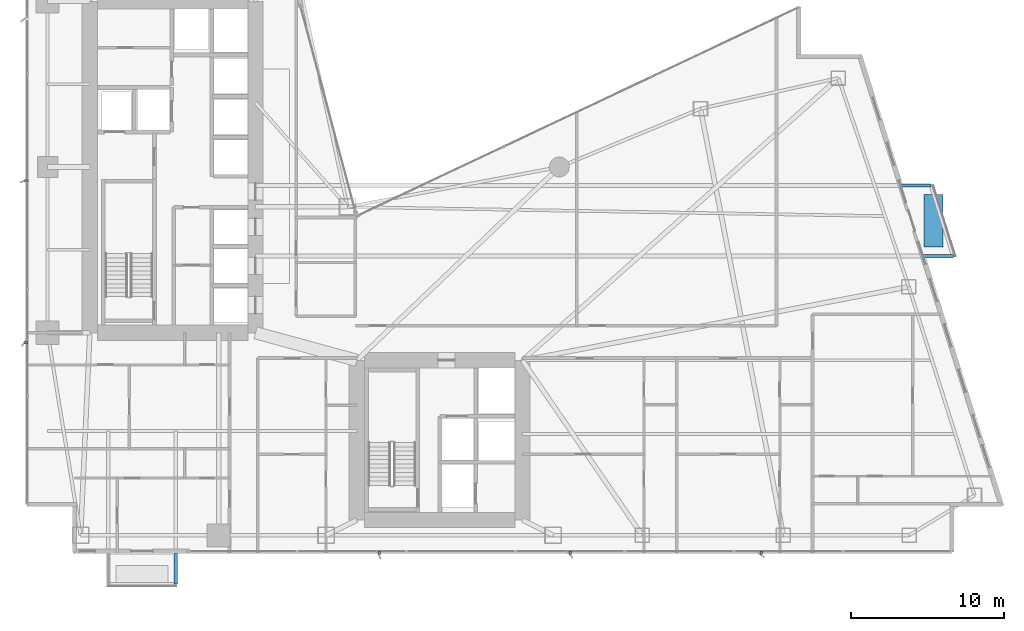
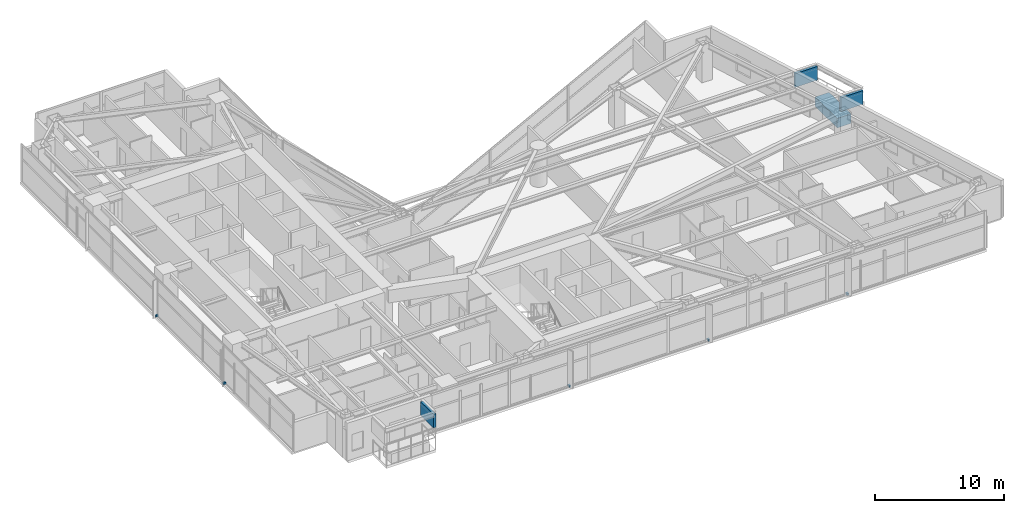
# One storey, part 26 of 29: 9 discrete accessories.
"""IFC4 building model written with IfcOpenShell, lengths in metres."""

import ifcopenshell
import ifcopenshell.guid

model = None  # the IFC model being written
_history = None  # IfcOwnerHistory: only IFC2X3 demands one
_inside = {}  # id of a spatial element -> (the spatial element, [elements in it])
_under = {}  # id of a project, library or spatial element -> (it, [spatial elements below it])
_declared = {}  # id of a project -> (the project, [libraries it declares])
_typed = {}  # id of a type object -> (the type object, [elements of that type])
_made_of = {}  # id of a material, layer set ... -> (it, [elements and type objects made of it])


def new_model(schema):
    """Start an empty IFC model of exactly this schema.

    Asked for "IFC4X3", IfcOpenShell would pick the latest addendum, in which some entities
    have other attributes; the version numbers below select the first issue.
    IFC2X3 requires an IfcOwnerHistory on every rooted entity: one is made here for all.
    """
    global model, _history
    if schema == "IFC4X3":
        model = ifcopenshell.file(schema_version=(4, 3, 0, 0))
    else:
        model = ifcopenshell.file(schema=schema)
    _inside.clear()
    _under.clear()
    _declared.clear()
    _typed.clear()
    _made_of.clear()
    _history = None
    if model.schema == "IFC2X3":
        org = make("IfcOrganization", Name="unknown")
        user = make(
            "IfcPersonAndOrganization",
            ThePerson=make("IfcPerson", FamilyName="unknown"),
            TheOrganization=org,
        )
        app = make(
            "IfcApplication",
            ApplicationDeveloper=org,
            Version="unknown",
            ApplicationFullName="unknown",
            ApplicationIdentifier="unknown",
        )
        _history = make(
            "IfcOwnerHistory",
            OwningUser=user,
            OwningApplication=app,
            ChangeAction="ADDED",
            CreationDate=0,
        )
    return model


def make(cls, **values):
    """One entity of the class cls with the attributes given. An attribute that is None is left unset."""
    return model.create_entity(
        cls, **{name: value for name, value in values.items() if value is not None}
    )


def rooted(cls, **values):
    """An entity with a GlobalId (a new one), such as an element, a storey or a relation."""
    return make(cls, GlobalId=ifcopenshell.guid.new(), OwnerHistory=_history, **values)


def si_unit(unit_type, name, prefix=None):
    """IfcSIUnit, for example si_unit("LENGTHUNIT", "METRE", prefix="MILLI")."""
    return make("IfcSIUnit", UnitType=unit_type, Prefix=prefix, Name=name)


def assignment(units):
    """IfcUnitAssignment: the units of a project."""
    return None if units is None else make("IfcUnitAssignment", Units=units)


def point(xyz):
    """IfcCartesianPoint."""
    return None if xyz is None else make("IfcCartesianPoint", Coordinates=xyz)


def direction(xyz):
    """IfcDirection."""
    return None if xyz is None else make("IfcDirection", DirectionRatios=xyz)


def frame(location, z_axis=None, x_axis=None):
    """IfcAxis2Placement3D, a coordinate frame: its origin and axes. An axis left out is left unset."""
    return make(
        "IfcAxis2Placement3D",
        Location=point(location),
        Axis=direction(z_axis),
        RefDirection=direction(x_axis),
    )


def frame_2d(location, x_axis=None):
    """IfcAxis2Placement2D, a coordinate frame in the plane: its origin and x axis."""
    return make(
        "IfcAxis2Placement2D", Location=point(location), RefDirection=direction(x_axis)
    )


def origin():
    """The frame at (0, 0, 0) with its axes left unset."""
    return frame((0.0, 0.0, 0.0))


def origin_2d():
    """The frame at (0, 0) in the plane with its x axis left unset."""
    return frame_2d((0.0, 0.0))


def place(relative_to, where):
    """IfcLocalPlacement: puts the frame where relative to a parent placement (None: the world)."""
    return make(
        "IfcLocalPlacement", PlacementRelTo=relative_to, RelativePlacement=where
    )


def context(
    kind, dimensions, precision=None, world=None, true_north=None, identifier=None
):
    """IfcGeometricRepresentationContext, for example the 3D "Model" context."""
    return make(
        "IfcGeometricRepresentationContext",
        ContextIdentifier=identifier,
        ContextType=kind,
        CoordinateSpaceDimension=dimensions,
        Precision=precision,
        WorldCoordinateSystem=world,
        TrueNorth=true_north,
    )


def subcontext(parent, identifier, kind, view, scale=None):
    """IfcGeometricRepresentationSubContext, for example "Body" below "Model"."""
    return make(
        "IfcGeometricRepresentationSubContext",
        ContextIdentifier=identifier,
        ContextType=kind,
        ParentContext=parent,
        TargetScale=scale,
        TargetView=view,
    )


def project(units=None, contexts=None):
    """IfcProject with its units and contexts."""
    return rooted(
        "IfcProject",
        Name="project",
        RepresentationContexts=contexts,
        UnitsInContext=assignment(units),
    )


def spatial(cls, under=None, at=None, **own):
    """A site, building, storey or space (cls), placed at a placement, below another one or the project."""
    s = rooted(cls, ObjectPlacement=at, **own)
    if under is not None:
        _under.setdefault(under.id(), (under, []))[1].append(s)
    return s


def profile(cls, at=None, kind="AREA", **sizes):
    """A parametric profile (cls). Its sizes go by their IFC names, for example OverallWidth=200.0."""
    return make(cls, ProfileType=kind, Position=at, **sizes)


def rectangle(**sizes):
    """IfcRectangleProfileDef."""
    return profile("IfcRectangleProfileDef", **sizes)


def extrude(swept, where, along, depth):
    """IfcExtrudedAreaSolid: the profile swept, set in the frame where, extruded along a direction by depth."""
    return make(
        "IfcExtrudedAreaSolid",
        SweptArea=swept,
        Position=where,
        ExtrudedDirection=direction(along),
        Depth=depth,
    )


def shape(context_of_items, identifier, shape_type, items):
    """IfcShapeRepresentation: the items that make up one representation, for example the "Body"."""
    return make(
        "IfcShapeRepresentation",
        ContextOfItems=context_of_items,
        RepresentationIdentifier=identifier,
        RepresentationType=shape_type,
        Items=items,
    )


def material(Name=None, Category=None):
    """IfcMaterial."""
    return make("IfcMaterial", Name=Name, Category=Category)


def made_of(thing, what):
    """Note that an element or type object is made of a material, layer set ...; save() writes the relation."""
    if what is not None:
        _made_of.setdefault(what.id(), (what, []))[1].append(thing)
    return thing


def type_object(cls, material=None, **own):
    """A type object (cls), such as IfcWallType, which elements share."""
    return made_of(rooted(cls, **own), material)


def element(
    cls,
    number,
    at=None,
    inside=None,
    cuts=None,
    type_object=None,
    material=None,
    context=None,
    identifier="Body",
    shape_type=None,
    held_by="IfcProductDefinitionShape",
    body=None,
    shapes=None,
    **own,
):
    """One element of the class cls, such as IfcWall. Its Tag is "e" and its number.

    at: its placement. inside: the storey or other place that contains it. cuts: it is an
    opening in that element (IfcRelVoidsElement). A single representation is given by context,
    identifier, shape_type and body (its items); several are given by shapes. held_by: the class
    of the entity that holds the representations. save() writes the other relations.
    """
    e = rooted(cls, Tag="e%d" % number, ObjectPlacement=at, **own)
    if body is not None:
        shapes = [shape(context, identifier, shape_type, body)]
    if shapes is not None:
        e.Representation = make(held_by, Representations=shapes)
    if inside is not None:
        _inside.setdefault(inside.id(), (inside, []))[1].append(e)
    if cuts is not None:
        rooted(
            "IfcRelVoidsElement", RelatingBuildingElement=cuts, RelatedOpeningElement=e
        )
    if type_object is not None:
        _typed.setdefault(type_object.id(), (type_object, []))[1].append(e)
    return made_of(e, material)


def aggregate(whole, parts):
    """IfcRelAggregates: a whole, such as a stair, and the parts it consists of."""
    return rooted("IfcRelAggregates", RelatingObject=whole, RelatedObjects=parts)


def save(model, path):
    """Write the relations noted so far, then the file.

    IfcRelAggregates (storeys below a building ...), IfcRelContainedInSpatialStructure (elements
    in a storey), IfcRelDefinesByType, IfcRelAssociatesMaterial and IfcRelDeclares: one each for
    every whole, place, type object, material and project.
    """
    for whole, parts in _under.values():
        aggregate(whole, parts)
    for where, things in _inside.values():
        rooted(
            "IfcRelContainedInSpatialStructure",
            RelatedElements=things,
            RelatingStructure=where,
        )
    for kind, things in _typed.values():
        rooted("IfcRelDefinesByType", RelatedObjects=things, RelatingType=kind)
    for what, things in _made_of.values():
        rooted("IfcRelAssociatesMaterial", RelatedObjects=things, RelatingMaterial=what)
    for by, libraries in _declared.values():
        rooted("IfcRelDeclares", RelatingContext=by, RelatedDefinitions=libraries)
    model.write(path)


model = new_model("IFC4")

# Units and contexts
model_context = context("Model", 3, precision=1e-05, world=origin(), true_north=direction((0.0, 1.0)))
body_context = subcontext(model_context, "Body", "Model", "MODEL_VIEW")
ifc_project = project(units=[si_unit("LENGTHUNIT", "METRE"), si_unit("AREAUNIT", "SQUARE_METRE"), si_unit("VOLUMEUNIT", "CUBIC_METRE"), si_unit("PLANEANGLEUNIT", "RADIAN"), si_unit("MASSUNIT", "GRAM", prefix="KILO")], contexts=[model_context])

# Site, building, storey
site_placement = place(None, origin())
site = spatial("IfcSite", under=ifc_project, at=site_placement, CompositionType="ELEMENT")
building_placement = place(site_placement, origin())
building = spatial("IfcBuilding", under=site, at=building_placement, Name="Calvorn Quay Hotel", CompositionType="ELEMENT")
storey_placement = place(building_placement, frame((0.0, 0.0, 66.0)))
storey = spatial("IfcBuildingStorey", under=building, at=storey_placement, Name="L15", CompositionType="ELEMENT", Elevation=66.0)

# Discrete accessories
ifc_material_1 = material(Name="Steel Q355B", Category="steel")
discrete_accessory_type_1 = type_object("IfcDiscreteAccessoryType", Name="ACC-BALC-STRUT", PredefinedType="BRACKET", material=ifc_material_1)
for number, where, z_axis, x_axis, name in (
    (1, (59.490966796875, 21.800048828125, 2.01513671875), (0.0, 0.0, 1.0), (1.0, 0.0, 0.0), "Exterior Balcony Steel Bracket L16-BALC-E-A"),
    (2, (58.0419921875, 26.39990234375, 2.01513671875), (0.0, 0.0, 1.0), (1.0, 0.0, 0.0), "Exterior Balcony Steel Bracket L16-BALC-E-B"),
):
    element("IfcDiscreteAccessory", number, at=place(storey_placement, frame(where, z_axis=z_axis, x_axis=x_axis)), inside=storey, type_object=discrete_accessory_type_1, Name=name, PredefinedType="BRACKET", context=body_context, shape_type="SweptSolid", body=[
        extrude(rectangle(XDim=1.989990234375, YDim=0.219970703125, at=origin_2d()), origin(), (0.0, 0.0, 1.0), 1.300048828125),
    ])
discrete_accessory_1_placement = place(storey_placement, frame((9.800048828125, 1.405029296875, 2.01513671875), z_axis=(0.0, 0.0, 1.0), x_axis=(1.0, 0.0, 0.0)))
element("IfcDiscreteAccessory", 3, at=discrete_accessory_1_placement, inside=storey, type_object=discrete_accessory_type_1, Name="Exterior Balcony Steel Bracket L16-BALC-S-B", PredefinedType="BRACKET", context=body_context, shape_type="SweptSolid", body=[
    extrude(rectangle(XDim=0.219970703125, YDim=1.989990234375, at=origin_2d()), origin(), (0.0, 0.0, 1.0), 1.300048828125),
])
ifc_material_2 = material(Name="Steel Q355B", Category="steel")
discrete_accessory_type_2 = type_object("IfcDiscreteAccessoryType", Name="ACC-FIN-BRACKET", PredefinedType="BRACKET", material=ifc_material_2)
for number, where, z_axis, x_axis, name in (
    (4, (0.06005859375, 16.14990234375, 0.0302734375), (0.0, 0.0, 1.0), (1.0, 0.0, 0.0), "Fin Anchor Bracket L15-W01"),
    (5, (0.06005859375, 26.699951171875, 0.0302734375), (0.0, 0.0, 1.0), (1.0, 0.0, 0.0), "Fin Anchor Bracket L15-W02"),
    (6, (23.050048828125, 2.4599609375, 0.0302734375), (0.0, 0.0, 1.0), (0.0, 1.0, 0.0), "Fin Anchor Bracket L15-S01"),
    (7, (35.5, 2.4599609375, 0.0302734375), (0.0, 0.0, 1.0), (0.0, 1.0, 0.0), "Fin Anchor Bracket L15-S02"),
    (8, (47.949951171875, 2.4599609375, 0.0302734375), (0.0, 0.0, 1.0), (0.0, 1.0, 0.0), "Fin Anchor Bracket L15-S03"),
):
    element("IfcDiscreteAccessory", number, at=place(storey_placement, frame(where, z_axis=z_axis, x_axis=x_axis)), inside=storey, type_object=discrete_accessory_type_2, Name=name, PredefinedType="BRACKET", context=body_context, shape_type="SweptSolid", body=[
        extrude(rectangle(XDim=0.239990234375, YDim=0.159912109375, at=origin_2d()), origin(), (0.0, 0.0, 1.0), 0.179931640625),
    ])
ifc_material_3 = material(Name="Precast concrete C40", Category="concrete")
discrete_accessory_type_3 = type_object("IfcDiscreteAccessoryType", Name="ACC-TREE-PLANTER", PredefinedType="USERDEFINED", material=ifc_material_3)
discrete_accessory_2_placement = place(storey_placement, frame((59.180908203125, 24.10009765625, 0.0), z_axis=(0.0, 0.0, 1.0), x_axis=(1.0, 0.0, 0.0)))
element("IfcDiscreteAccessory", 9, at=discrete_accessory_2_placement, inside=storey, type_object=discrete_accessory_type_3, Name="Subtropical Tree Structural Planter L15-BALC-E", ObjectType="PLANTER", PredefinedType="USERDEFINED", context=body_context, shape_type="SweptSolid", body=[
    extrude(rectangle(XDim=1.25, YDim=3.39990234375, at=origin_2d()), origin(), (0.0, 0.0, 1.0), 0.89990234375),
])

save(model, "model.ifc")
